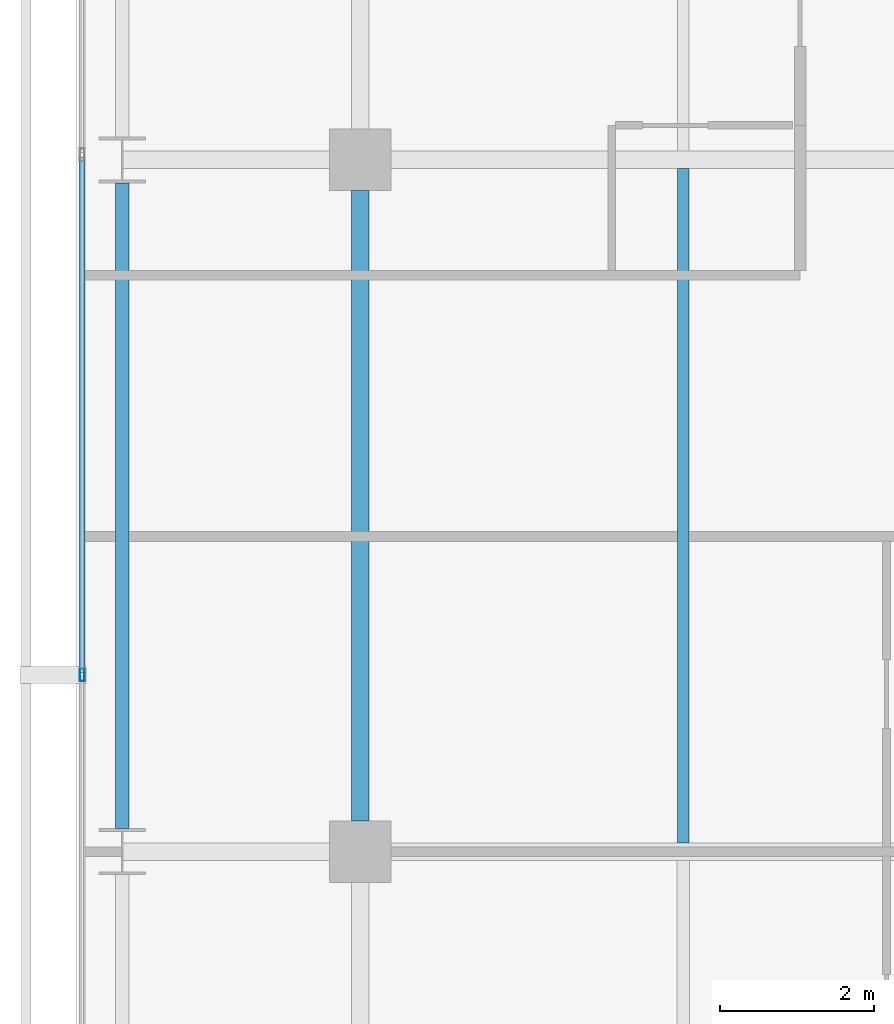
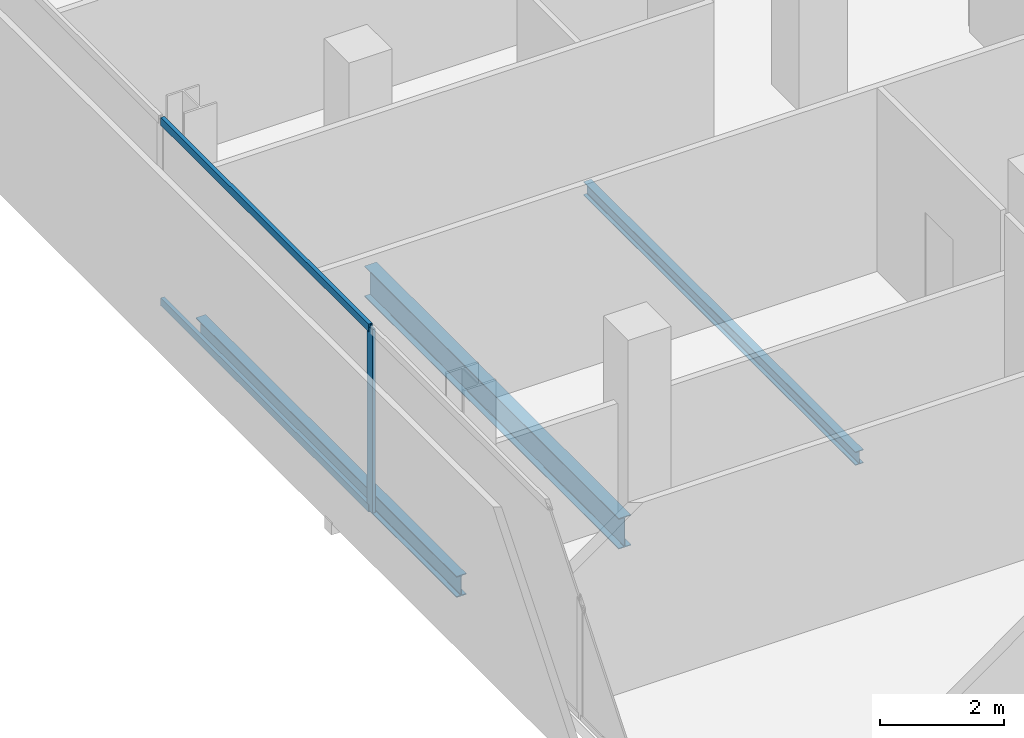
# One storey, part 10 of 34: 3 beams, 3 members, 1 element without a shape of its own.
"""IFC4 building model written with IfcOpenShell, lengths in metres."""

from ifc_helpers import new_model, si_unit, direction, frame, origin, origin_2d, place, context, subcontext, project, spatial, hollow_rectangle, i_section, extrude, material, layer, layer_set, material_profile, profile_set, type_object, element, aggregate, save


model = new_model("IFC4")

# Units and contexts
model_context = context("Model", 3, precision=1e-05, world=origin(), true_north=direction((0.0, 1.0)))
body_context = subcontext(model_context, "Body", "Model", "MODEL_VIEW")
ifc_project = project(units=[si_unit("LENGTHUNIT", "METRE"), si_unit("AREAUNIT", "SQUARE_METRE"), si_unit("VOLUMEUNIT", "CUBIC_METRE"), si_unit("PLANEANGLEUNIT", "RADIAN"), si_unit("MASSUNIT", "GRAM", prefix="KILO")], contexts=[model_context])

# Site, building, storey
site_placement = place(None, origin())
site = spatial("IfcSite", under=ifc_project, at=site_placement, CompositionType="ELEMENT")
building_placement = place(site_placement, origin())
building = spatial("IfcBuilding", under=site, at=building_placement, Name="Maruvema Waterfront Hotel and Observation Tower", CompositionType="ELEMENT")
storey_placement = place(building_placement, frame((0.0, 0.0, 177.449951171875)))
storey = spatial("IfcBuildingStorey", under=building, at=storey_placement, Name="L43", CompositionType="ELEMENT", Elevation=177.449951171875)

# Curtain wall, members
ifc_material_1 = material(Name="Anodised bronze aluminium and solar-control low-E IGU", Category="aluminium")
ifc_layer = layer(ifc_material_1, 0.159912109375, Name="Zone 2 Amber Inner Thermal Curtain Wall System CW-03")
ifc_layer_set = layer_set([ifc_layer], Name="Anodised bronze aluminium and solar-control low-E IGU")
curtain_wall_type = type_object("IfcCurtainWallType", Name="Zone 2 Amber Inner Thermal Curtain Wall System CW-03", PredefinedType="USERDEFINED", material=ifc_layer_set)
curtain_wall_placement = place(storey_placement, origin())
curtain_wall = element("IfcCurtainWall", 1, at=curtain_wall_placement, inside=storey, type_object=curtain_wall_type, Name="L43 Curtain Wall CW-L43-W", ObjectType="UNITISED CURTAIN WALL", PredefinedType="USERDEFINED")
ifc_material_2 = material(Name="Anodised architectural bronze aluminium", Category="aluminium")
ifc_material_profile_1 = material_profile(ifc_material_2, hollow_rectangle(XDim=0.070068359375, YDim=0.14990234375, WallThickness=0.00390625, at=origin_2d()), Name="ALU-T70x150")
ifc_profile_set_1 = profile_set([ifc_material_profile_1], Name="Anodised architectural bronze aluminium")
member_type_1 = type_object("IfcMemberType", Name="Curtain Wall Horizontal Transom ALU-T70x150", PredefinedType="USERDEFINED", material=ifc_profile_set_1)
member_1_placement = place(storey_placement, frame((13.179931640625, 36.03662109375, 0.030029296875), z_axis=(0.0, -1.0, 0.0), x_axis=(1.0, 0.0, 0.0)))
member_1 = element("IfcMember", 2, at=member_1_placement, type_object=member_type_1, Name="CW-03 transom 3.1", ObjectType="TRANSOM", PredefinedType="USERDEFINED", context=body_context, shape_type="SweptSolid", body=[
    extrude(hollow_rectangle(XDim=0.070068359375, YDim=0.14990234375, WallThickness=0.00390625, at=origin_2d()), origin(), (0.0, 0.0, 1.0), 6.70654296875),
])
member_2_placement = place(storey_placement, frame((13.179931640625, 36.03662109375, 3.580078125), z_axis=(0.0, -1.0, 0.0), x_axis=(1.0, 0.0, 0.0)))
member_2 = element("IfcMember", 3, at=member_2_placement, type_object=member_type_1, Name="CW-03 transom 3.2", ObjectType="TRANSOM", PredefinedType="USERDEFINED", context=body_context, shape_type="SweptSolid", body=[
    extrude(hollow_rectangle(XDim=0.070068359375, YDim=0.14990234375, WallThickness=0.00390625, at=origin_2d()), origin(), (0.0, 0.0, 1.0), 6.70654296875),
])
ifc_material_3 = material(Name="Anodised architectural bronze aluminium", Category="aluminium")
ifc_material_profile_2 = material_profile(ifc_material_3, hollow_rectangle(XDim=0.06494140625, YDim=0.1650390625, WallThickness=0.00390625, at=origin_2d()), Name="ALU-M65x165")
ifc_profile_set_2 = profile_set([ifc_material_profile_2], Name="Anodised architectural bronze aluminium")
member_type_2 = type_object("IfcMemberType", Name="Curtain Wall Primary Mullion ALU-M65x165", PredefinedType="MULLION", material=ifc_profile_set_2)
member_3_placement = place(storey_placement, frame((13.179931640625, 29.300048828125, 0.0), z_axis=(0.0, 0.0, 1.0), x_axis=(1.0, 0.0, 0.0)))
member_3 = element("IfcMember", 4, at=member_3_placement, type_object=member_type_2, Name="CW-03 mullion 4", PredefinedType="MULLION", context=body_context, shape_type="SweptSolid", body=[
    extrude(hollow_rectangle(XDim=0.06494140625, YDim=0.1650390625, WallThickness=0.00390625, at=origin_2d()), origin(), (0.0, 0.0, 1.0), 3.610107421875),
])
aggregate(curtain_wall, [member_3, member_1, member_2])

# Beams
ifc_material_4 = material(Name="Steel ASTM A572 Grade 50", Category="steel")
ifc_material_profile_3 = material_profile(ifc_material_4, i_section(OverallWidth=0.180908203125, OverallDepth=0.4169921875, WebThickness=0.010986328125, FlangeThickness=0.018310546875, FilletRadius=0.014892578125, at=origin_2d()), Name="W410x85.0")
ifc_profile_set_3 = profile_set([ifc_material_profile_3], Name="Steel ASTM A572 Grade 50")
beam_type_1 = type_object("IfcBeamType", Name="Perimeter Spandrel Beam W410x85.0", PredefinedType="SPANDREL", material=ifc_profile_set_3)
beam_1_placement = place(storey_placement, frame((13.699951171875, 27.300048828125, -0.448486328125), z_axis=(0.0, 1.0, 0.0), x_axis=(-1.0, 0.0, 0.0)))
element("IfcBeam", 5, at=beam_1_placement, inside=storey, type_object=beam_type_1, Name="L43 Floor Girder NS-03", PredefinedType="SPANDREL", context=body_context, shape_type="SweptSolid", body=[
    extrude(i_section(OverallWidth=0.180908203125, OverallDepth=0.4169921875, WebThickness=0.010986328125, FlangeThickness=0.018310546875, FilletRadius=0.014892578125, at=origin_2d()), origin(), (0.0, 0.0, 1.0), 8.39990234375),
])
ifc_material_5 = material(Name="Steel ASTM A572 Grade 50", Category="steel")
ifc_material_profile_4 = material_profile(ifc_material_5, i_section(OverallWidth=0.22802734375, OverallDepth=0.60302734375, WebThickness=0.010498046875, FlangeThickness=0.014892578125, FilletRadius=0.01806640625, at=origin_2d()), Name="W610x101.0")
ifc_profile_set_4 = profile_set([ifc_material_profile_4], Name="Steel ASTM A572 Grade 50")
beam_type_2 = type_object("IfcBeamType", Name="Primary Floor Girder W610x101.0", PredefinedType="BEAM", material=ifc_profile_set_4)
beam_2_placement = place(storey_placement, frame((16.800048828125, 27.39990234375, -0.54150390625), z_axis=(0.0, 1.0, 0.0), x_axis=(-1.0, 0.0, 0.0)))
element("IfcBeam", 6, at=beam_2_placement, inside=storey, type_object=beam_type_2, Name="L43 Floor Girder NS-07", PredefinedType="BEAM", context=body_context, shape_type="SweptSolid", body=[
    extrude(i_section(OverallWidth=0.22802734375, OverallDepth=0.60302734375, WebThickness=0.010498046875, FlangeThickness=0.014892578125, FilletRadius=0.01806640625, at=origin_2d()), origin(), (0.0, 0.0, 1.0), 8.2001953125),
])
ifc_material_6 = material(Name="Steel ASTM A572 Grade 50", Category="steel")
ifc_material_profile_5 = material_profile(ifc_material_6, i_section(OverallWidth=0.14794921875, OverallDepth=0.26611328125, WebThickness=0.007568359375, FlangeThickness=0.012939453125, FilletRadius=0.012939453125, at=origin_2d()), Name="W250x44.8")
ifc_profile_set_5 = profile_set([ifc_material_profile_5], Name="Steel ASTM A572 Grade 50")
beam_type_3 = type_object("IfcBeamType", Name="Secondary Floor Joist W250x44.8", PredefinedType="JOIST", material=ifc_profile_set_5)
beam_3_placement = place(storey_placement, frame((21.0, 27.114013671875, -0.373046875), z_axis=(0.0, 1.0, 0.0), x_axis=(-1.0, 0.0, 0.0)))
element("IfcBeam", 7, at=beam_3_placement, inside=storey, type_object=beam_type_3, Name="L43 Secondary Floor Joist JS-03", PredefinedType="JOIST", context=body_context, shape_type="SweptSolid", body=[
    extrude(i_section(OverallWidth=0.14794921875, OverallDepth=0.26611328125, WebThickness=0.007568359375, FlangeThickness=0.012939453125, FilletRadius=0.012939453125, at=origin_2d()), origin(), (0.0, 0.0, 1.0), 8.77197265625),
])

save(model, "model.ifc")
